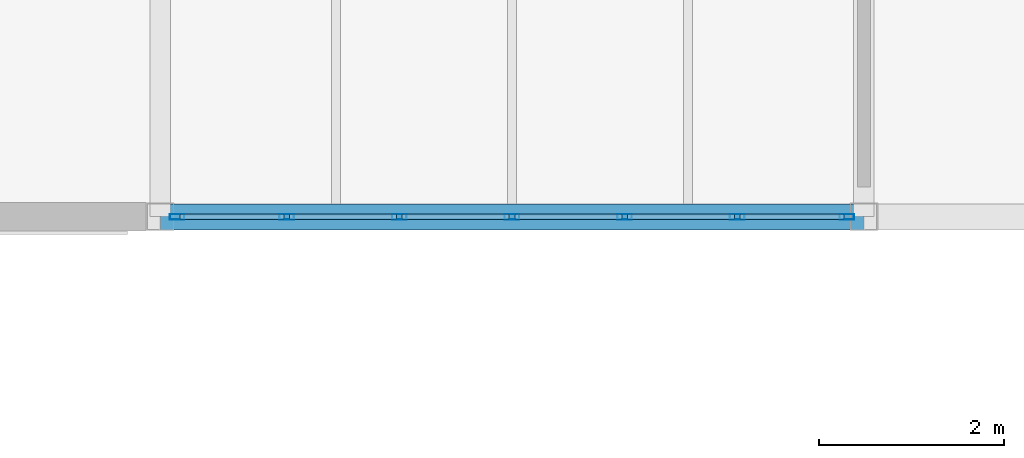
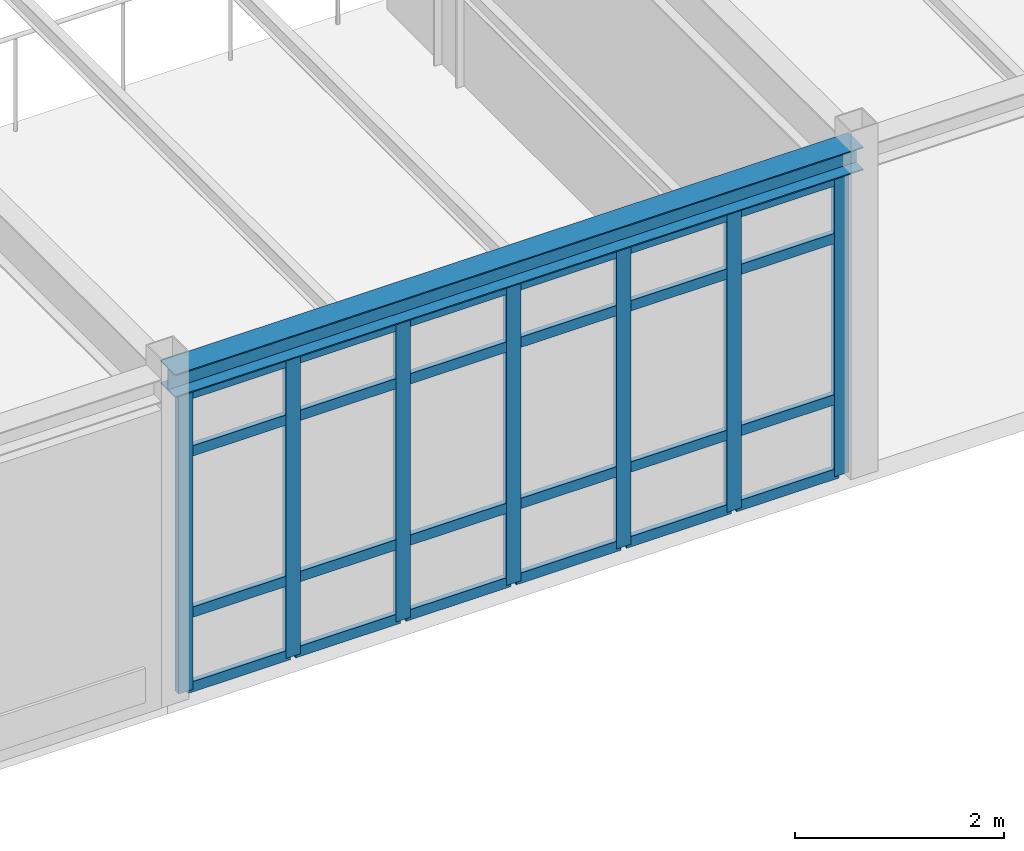
# One storey, part 64 of 165: 31 members, 1 beam, 1 element without a shape of its own.
"""IFC4 building model written with IfcOpenShell, lengths in metres."""

from ifc_helpers import new_model, si_unit, direction, frame, origin, origin_2d, place, context, subcontext, project, spatial, hollow_rectangle, i_section, extrude, material, layer, layer_set, material_profile, profile_set, type_object, element, aggregate, save


model = new_model("IFC4")

# Units and contexts
model_context = context("Model", 3, precision=1e-05, world=origin(), true_north=direction((0.0, 1.0)))
body_context = subcontext(model_context, "Body", "Model", "MODEL_VIEW")
ifc_project = project(units=[si_unit("LENGTHUNIT", "METRE"), si_unit("AREAUNIT", "SQUARE_METRE"), si_unit("VOLUMEUNIT", "CUBIC_METRE"), si_unit("PLANEANGLEUNIT", "RADIAN"), si_unit("MASSUNIT", "GRAM", prefix="KILO")], contexts=[model_context])

# Site, building, storey
site_placement = place(None, origin())
site = spatial("IfcSite", under=ifc_project, at=site_placement, CompositionType="ELEMENT")
building_placement = place(site_placement, origin())
building = spatial("IfcBuilding", under=site, at=building_placement, Name="Montecoro Central Library", CompositionType="ELEMENT")
storey_placement = place(building_placement, frame((0.0, 0.0, 5.10009765625)))
storey = spatial("IfcBuildingStorey", under=building, at=storey_placement, Name="L01", CompositionType="ELEMENT", Elevation=5.10009765625)

# Beam
ifc_material_1 = material(Name="Steel S355", Category="steel")
ifc_material_profile_1 = material_profile(ifc_material_1, i_section(OverallWidth=0.280029296875, OverallDepth=0.27001953125, WebThickness=0.008056640625, FlangeThickness=0.012939453125, at=origin_2d()), Name="HEA 280")
ifc_profile_set_1 = profile_set([ifc_material_profile_1], Name="Steel S355")
beam_type = type_object("IfcBeamType", Name="BM-SP-HEA280", PredefinedType="SPANDREL", material=ifc_profile_set_1)
beam_placement = place(storey_placement, frame((12.60498046875, 73.39990234375, 3.68994140625), z_axis=(1.0, 0.0, 0.0), x_axis=(0.0, 1.0, 0.0)))
element("IfcBeam", 1, at=beam_placement, inside=storey, type_object=beam_type, Name="V4-L01-BX-23-K", PredefinedType="SPANDREL", context=body_context, shape_type="SweptSolid", body=[
    extrude(i_section(OverallWidth=0.280029296875, OverallDepth=0.27001953125, WebThickness=0.008056640625, FlangeThickness=0.012939453125, at=origin_2d()), origin(), (0.0, 0.0, 1.0), 7.590087890625),
])

# Curtain wall, members
ifc_material_2 = material(Name="Bronze-anodised aluminium and low-E glazing", Category="aluminium")
ifc_layer = layer(ifc_material_2, 0.159912109375)
ifc_layer_set = layer_set([ifc_layer], Name="Bronze-anodised aluminium and low-E glazing")
curtain_wall_type = type_object("IfcCurtainWallType", Name="CWT-042", PredefinedType="NOTDEFINED", material=ifc_layer_set)
curtain_wall_placement = place(storey_placement, origin())
curtain_wall = element("IfcCurtainWall", 2, at=curtain_wall_placement, inside=storey, type_object=curtain_wall_type, Name="V4-L01-CW-S1", PredefinedType="NOTDEFINED")
ifc_material_3 = material(Name="Bronze-anodised aluminium", Category="aluminium")
ifc_material_profile_2 = material_profile(ifc_material_3, hollow_rectangle(XDim=0.06005859375, YDim=0.159912109375, WallThickness=0.00390625, at=origin_2d()), Name="CWM 160x60x4.0")
ifc_profile_set_2 = profile_set([ifc_material_profile_2], Name="Bronze-anodised aluminium")
member_type_1 = type_object("IfcMemberType", Name="CWM-BRZ-60", PredefinedType="MULLION", material=ifc_profile_set_2)
member_1_placement = place(storey_placement, frame((12.782958984375, 73.39990234375, 0.0), z_axis=(0.0, 0.0, 1.0), x_axis=(0.0, 1.0, 0.0)))
member_1 = element("IfcMember", 3, at=member_1_placement, type_object=member_type_1, Name="CW-042 mullion 1", PredefinedType="MULLION", context=body_context, shape_type="SweptSolid", body=[
    extrude(hollow_rectangle(XDim=0.06005859375, YDim=0.159912109375, WallThickness=0.00390625, at=origin_2d()), origin(), (0.0, 0.0, 1.0), 3.47998046875),
])
member_2_placement = place(storey_placement, frame((13.96875, 73.39990234375, 0.0), z_axis=(0.0, 0.0, 1.0), x_axis=(0.0, 1.0, 0.0)))
member_2 = element("IfcMember", 4, at=member_2_placement, type_object=member_type_1, Name="CW-042 mullion 2", PredefinedType="MULLION", context=body_context, shape_type="SweptSolid", body=[
    extrude(hollow_rectangle(XDim=0.06005859375, YDim=0.159912109375, WallThickness=0.00390625, at=origin_2d()), origin(), (0.0, 0.0, 1.0), 3.47998046875),
])
member_3_placement = place(storey_placement, frame((15.184326171875, 73.39990234375, 0.0), z_axis=(0.0, 0.0, 1.0), x_axis=(0.0, 1.0, 0.0)))
member_3 = element("IfcMember", 5, at=member_3_placement, type_object=member_type_1, Name="CW-042 mullion 3", PredefinedType="MULLION", context=body_context, shape_type="SweptSolid", body=[
    extrude(hollow_rectangle(XDim=0.06005859375, YDim=0.159912109375, WallThickness=0.00390625, at=origin_2d()), origin(), (0.0, 0.0, 1.0), 3.47998046875),
])
member_4_placement = place(storey_placement, frame((16.39990234375, 73.39990234375, 0.0), z_axis=(0.0, 0.0, 1.0), x_axis=(0.0, 1.0, 0.0)))
member_4 = element("IfcMember", 6, at=member_4_placement, type_object=member_type_1, Name="CW-042 mullion 4", PredefinedType="MULLION", context=body_context, shape_type="SweptSolid", body=[
    extrude(hollow_rectangle(XDim=0.06005859375, YDim=0.159912109375, WallThickness=0.00390625, at=origin_2d()), origin(), (0.0, 0.0, 1.0), 3.47998046875),
])
member_5_placement = place(storey_placement, frame((17.61572265625, 73.39990234375, 0.0), z_axis=(0.0, 0.0, 1.0), x_axis=(0.0, 1.0, 0.0)))
member_5 = element("IfcMember", 7, at=member_5_placement, type_object=member_type_1, Name="CW-042 mullion 5", PredefinedType="MULLION", context=body_context, shape_type="SweptSolid", body=[
    extrude(hollow_rectangle(XDim=0.06005859375, YDim=0.159912109375, WallThickness=0.00390625, at=origin_2d()), origin(), (0.0, 0.0, 1.0), 3.47998046875),
])
member_6_placement = place(storey_placement, frame((18.831298828125, 73.39990234375, 0.0), z_axis=(0.0, 0.0, 1.0), x_axis=(0.0, 1.0, 0.0)))
member_6 = element("IfcMember", 8, at=member_6_placement, type_object=member_type_1, Name="CW-042 mullion 6", PredefinedType="MULLION", context=body_context, shape_type="SweptSolid", body=[
    extrude(hollow_rectangle(XDim=0.06005859375, YDim=0.159912109375, WallThickness=0.00390625, at=origin_2d()), origin(), (0.0, 0.0, 1.0), 3.47998046875),
])
member_7_placement = place(storey_placement, frame((20.01708984375, 73.39990234375, 0.0), z_axis=(0.0, 0.0, 1.0), x_axis=(0.0, 1.0, 0.0)))
member_7 = element("IfcMember", 9, at=member_7_placement, type_object=member_type_1, Name="CW-042 mullion 7", PredefinedType="MULLION", context=body_context, shape_type="SweptSolid", body=[
    extrude(hollow_rectangle(XDim=0.06005859375, YDim=0.159912109375, WallThickness=0.00390625, at=origin_2d()), origin(), (0.0, 0.0, 1.0), 3.47998046875),
])
ifc_material_profile_3 = material_profile(ifc_material_3, hollow_rectangle(XDim=0.06005859375, YDim=0.1201171875, WallThickness=0.00390625, at=origin_2d()), Name="CWT 120x60x4.0")
ifc_profile_set_3 = profile_set([ifc_material_profile_3], Name="Bronze-anodised aluminium")
member_type_2 = type_object("IfcMemberType", Name="CWT-BRZ-60", PredefinedType="USERDEFINED", material=ifc_profile_set_3)
member_8_placement = place(storey_placement, frame((12.81298828125, 73.39990234375, 0.02978515625), z_axis=(1.0, 0.0, 0.0), x_axis=(0.0, 1.0, 0.0)))
member_8 = element("IfcMember", 10, at=member_8_placement, type_object=member_type_2, Name="CW-042 transom 1.1", ObjectType="TRANSOM", PredefinedType="USERDEFINED", context=body_context, shape_type="SweptSolid", body=[
    extrude(hollow_rectangle(XDim=0.06005859375, YDim=0.1201171875, WallThickness=0.00390625, at=origin_2d()), origin(), (0.0, 0.0, 1.0), 1.125732421875),
])
member_9_placement = place(storey_placement, frame((12.81298828125, 73.39990234375, 0.89990234375), z_axis=(1.0, 0.0, 0.0), x_axis=(0.0, 1.0, 0.0)))
member_9 = element("IfcMember", 11, at=member_9_placement, type_object=member_type_2, Name="CW-042 transom 1.2", ObjectType="TRANSOM", PredefinedType="USERDEFINED", context=body_context, shape_type="SweptSolid", body=[
    extrude(hollow_rectangle(XDim=0.06005859375, YDim=0.1201171875, WallThickness=0.00390625, at=origin_2d()), origin(), (0.0, 0.0, 1.0), 1.125732421875),
])
member_10_placement = place(storey_placement, frame((12.81298828125, 73.39990234375, 2.77978515625), z_axis=(1.0, 0.0, 0.0), x_axis=(0.0, 1.0, 0.0)))
member_10 = element("IfcMember", 12, at=member_10_placement, type_object=member_type_2, Name="CW-042 transom 1.3", ObjectType="TRANSOM", PredefinedType="USERDEFINED", context=body_context, shape_type="SweptSolid", body=[
    extrude(hollow_rectangle(XDim=0.06005859375, YDim=0.1201171875, WallThickness=0.00390625, at=origin_2d()), origin(), (0.0, 0.0, 1.0), 1.125732421875),
])
member_11_placement = place(storey_placement, frame((12.81298828125, 73.39990234375, 3.449951171875), z_axis=(1.0, 0.0, 0.0), x_axis=(0.0, 1.0, 0.0)))
member_11 = element("IfcMember", 13, at=member_11_placement, type_object=member_type_2, Name="CW-042 transom 1.4", ObjectType="TRANSOM", PredefinedType="USERDEFINED", context=body_context, shape_type="SweptSolid", body=[
    extrude(hollow_rectangle(XDim=0.06005859375, YDim=0.1201171875, WallThickness=0.00390625, at=origin_2d()), origin(), (0.0, 0.0, 1.0), 1.125732421875),
])
member_12_placement = place(storey_placement, frame((13.998779296875, 73.39990234375, 0.02978515625), z_axis=(1.0, 0.0, 0.0), x_axis=(0.0, 1.0, 0.0)))
member_12 = element("IfcMember", 14, at=member_12_placement, type_object=member_type_2, Name="CW-042 transom 2.1", ObjectType="TRANSOM", PredefinedType="USERDEFINED", context=body_context, shape_type="SweptSolid", body=[
    extrude(hollow_rectangle(XDim=0.06005859375, YDim=0.1201171875, WallThickness=0.00390625, at=origin_2d()), origin(), (0.0, 0.0, 1.0), 1.155517578125),
])
member_13_placement = place(storey_placement, frame((13.998779296875, 73.39990234375, 0.89990234375), z_axis=(1.0, 0.0, 0.0), x_axis=(0.0, 1.0, 0.0)))
member_13 = element("IfcMember", 15, at=member_13_placement, type_object=member_type_2, Name="CW-042 transom 2.2", ObjectType="TRANSOM", PredefinedType="USERDEFINED", context=body_context, shape_type="SweptSolid", body=[
    extrude(hollow_rectangle(XDim=0.06005859375, YDim=0.1201171875, WallThickness=0.00390625, at=origin_2d()), origin(), (0.0, 0.0, 1.0), 1.155517578125),
])
member_14_placement = place(storey_placement, frame((13.998779296875, 73.39990234375, 2.77978515625), z_axis=(1.0, 0.0, 0.0), x_axis=(0.0, 1.0, 0.0)))
member_14 = element("IfcMember", 16, at=member_14_placement, type_object=member_type_2, Name="CW-042 transom 2.3", ObjectType="TRANSOM", PredefinedType="USERDEFINED", context=body_context, shape_type="SweptSolid", body=[
    extrude(hollow_rectangle(XDim=0.06005859375, YDim=0.1201171875, WallThickness=0.00390625, at=origin_2d()), origin(), (0.0, 0.0, 1.0), 1.155517578125),
])
member_15_placement = place(storey_placement, frame((13.998779296875, 73.39990234375, 3.449951171875), z_axis=(1.0, 0.0, 0.0), x_axis=(0.0, 1.0, 0.0)))
member_15 = element("IfcMember", 17, at=member_15_placement, type_object=member_type_2, Name="CW-042 transom 2.4", ObjectType="TRANSOM", PredefinedType="USERDEFINED", context=body_context, shape_type="SweptSolid", body=[
    extrude(hollow_rectangle(XDim=0.06005859375, YDim=0.1201171875, WallThickness=0.00390625, at=origin_2d()), origin(), (0.0, 0.0, 1.0), 1.155517578125),
])
member_16_placement = place(storey_placement, frame((15.21435546875, 73.39990234375, 0.02978515625), z_axis=(1.0, 0.0, 0.0), x_axis=(0.0, 1.0, 0.0)))
member_16 = element("IfcMember", 18, at=member_16_placement, type_object=member_type_2, Name="CW-042 transom 3.1", ObjectType="TRANSOM", PredefinedType="USERDEFINED", context=body_context, shape_type="SweptSolid", body=[
    extrude(hollow_rectangle(XDim=0.06005859375, YDim=0.1201171875, WallThickness=0.00390625, at=origin_2d()), origin(), (0.0, 0.0, 1.0), 1.15576171875),
])
member_17_placement = place(storey_placement, frame((15.21435546875, 73.39990234375, 0.89990234375), z_axis=(1.0, 0.0, 0.0), x_axis=(0.0, 1.0, 0.0)))
member_17 = element("IfcMember", 19, at=member_17_placement, type_object=member_type_2, Name="CW-042 transom 3.2", ObjectType="TRANSOM", PredefinedType="USERDEFINED", context=body_context, shape_type="SweptSolid", body=[
    extrude(hollow_rectangle(XDim=0.06005859375, YDim=0.1201171875, WallThickness=0.00390625, at=origin_2d()), origin(), (0.0, 0.0, 1.0), 1.15576171875),
])
member_18_placement = place(storey_placement, frame((15.21435546875, 73.39990234375, 2.77978515625), z_axis=(1.0, 0.0, 0.0), x_axis=(0.0, 1.0, 0.0)))
member_18 = element("IfcMember", 20, at=member_18_placement, type_object=member_type_2, Name="CW-042 transom 3.3", ObjectType="TRANSOM", PredefinedType="USERDEFINED", context=body_context, shape_type="SweptSolid", body=[
    extrude(hollow_rectangle(XDim=0.06005859375, YDim=0.1201171875, WallThickness=0.00390625, at=origin_2d()), origin(), (0.0, 0.0, 1.0), 1.15576171875),
])
member_19_placement = place(storey_placement, frame((15.21435546875, 73.39990234375, 3.449951171875), z_axis=(1.0, 0.0, 0.0), x_axis=(0.0, 1.0, 0.0)))
member_19 = element("IfcMember", 21, at=member_19_placement, type_object=member_type_2, Name="CW-042 transom 3.4", ObjectType="TRANSOM", PredefinedType="USERDEFINED", context=body_context, shape_type="SweptSolid", body=[
    extrude(hollow_rectangle(XDim=0.06005859375, YDim=0.1201171875, WallThickness=0.00390625, at=origin_2d()), origin(), (0.0, 0.0, 1.0), 1.15576171875),
])
member_20_placement = place(storey_placement, frame((16.429931640625, 73.39990234375, 0.02978515625), z_axis=(1.0, 0.0, 0.0), x_axis=(0.0, 1.0, 0.0)))
member_20 = element("IfcMember", 22, at=member_20_placement, type_object=member_type_2, Name="CW-042 transom 4.1", ObjectType="TRANSOM", PredefinedType="USERDEFINED", context=body_context, shape_type="SweptSolid", body=[
    extrude(hollow_rectangle(XDim=0.06005859375, YDim=0.1201171875, WallThickness=0.00390625, at=origin_2d()), origin(), (0.0, 0.0, 1.0), 1.15576171875),
])
member_21_placement = place(storey_placement, frame((16.429931640625, 73.39990234375, 0.89990234375), z_axis=(1.0, 0.0, 0.0), x_axis=(0.0, 1.0, 0.0)))
member_21 = element("IfcMember", 23, at=member_21_placement, type_object=member_type_2, Name="CW-042 transom 4.2", ObjectType="TRANSOM", PredefinedType="USERDEFINED", context=body_context, shape_type="SweptSolid", body=[
    extrude(hollow_rectangle(XDim=0.06005859375, YDim=0.1201171875, WallThickness=0.00390625, at=origin_2d()), origin(), (0.0, 0.0, 1.0), 1.15576171875),
])
member_22_placement = place(storey_placement, frame((16.429931640625, 73.39990234375, 2.77978515625), z_axis=(1.0, 0.0, 0.0), x_axis=(0.0, 1.0, 0.0)))
member_22 = element("IfcMember", 24, at=member_22_placement, type_object=member_type_2, Name="CW-042 transom 4.3", ObjectType="TRANSOM", PredefinedType="USERDEFINED", context=body_context, shape_type="SweptSolid", body=[
    extrude(hollow_rectangle(XDim=0.06005859375, YDim=0.1201171875, WallThickness=0.00390625, at=origin_2d()), origin(), (0.0, 0.0, 1.0), 1.15576171875),
])
member_23_placement = place(storey_placement, frame((16.429931640625, 73.39990234375, 3.449951171875), z_axis=(1.0, 0.0, 0.0), x_axis=(0.0, 1.0, 0.0)))
member_23 = element("IfcMember", 25, at=member_23_placement, type_object=member_type_2, Name="CW-042 transom 4.4", ObjectType="TRANSOM", PredefinedType="USERDEFINED", context=body_context, shape_type="SweptSolid", body=[
    extrude(hollow_rectangle(XDim=0.06005859375, YDim=0.1201171875, WallThickness=0.00390625, at=origin_2d()), origin(), (0.0, 0.0, 1.0), 1.15576171875),
])
member_24_placement = place(storey_placement, frame((17.645751953125, 73.39990234375, 0.02978515625), z_axis=(1.0, 0.0, 0.0), x_axis=(0.0, 1.0, 0.0)))
member_24 = element("IfcMember", 26, at=member_24_placement, type_object=member_type_2, Name="CW-042 transom 5.1", ObjectType="TRANSOM", PredefinedType="USERDEFINED", context=body_context, shape_type="SweptSolid", body=[
    extrude(hollow_rectangle(XDim=0.06005859375, YDim=0.1201171875, WallThickness=0.00390625, at=origin_2d()), origin(), (0.0, 0.0, 1.0), 1.155517578125),
])
member_25_placement = place(storey_placement, frame((17.645751953125, 73.39990234375, 0.89990234375), z_axis=(1.0, 0.0, 0.0), x_axis=(0.0, 1.0, 0.0)))
member_25 = element("IfcMember", 27, at=member_25_placement, type_object=member_type_2, Name="CW-042 transom 5.2", ObjectType="TRANSOM", PredefinedType="USERDEFINED", context=body_context, shape_type="SweptSolid", body=[
    extrude(hollow_rectangle(XDim=0.06005859375, YDim=0.1201171875, WallThickness=0.00390625, at=origin_2d()), origin(), (0.0, 0.0, 1.0), 1.155517578125),
])
member_26_placement = place(storey_placement, frame((17.645751953125, 73.39990234375, 2.77978515625), z_axis=(1.0, 0.0, 0.0), x_axis=(0.0, 1.0, 0.0)))
member_26 = element("IfcMember", 28, at=member_26_placement, type_object=member_type_2, Name="CW-042 transom 5.3", ObjectType="TRANSOM", PredefinedType="USERDEFINED", context=body_context, shape_type="SweptSolid", body=[
    extrude(hollow_rectangle(XDim=0.06005859375, YDim=0.1201171875, WallThickness=0.00390625, at=origin_2d()), origin(), (0.0, 0.0, 1.0), 1.155517578125),
])
member_27_placement = place(storey_placement, frame((17.645751953125, 73.39990234375, 3.449951171875), z_axis=(1.0, 0.0, 0.0), x_axis=(0.0, 1.0, 0.0)))
member_27 = element("IfcMember", 29, at=member_27_placement, type_object=member_type_2, Name="CW-042 transom 5.4", ObjectType="TRANSOM", PredefinedType="USERDEFINED", context=body_context, shape_type="SweptSolid", body=[
    extrude(hollow_rectangle(XDim=0.06005859375, YDim=0.1201171875, WallThickness=0.00390625, at=origin_2d()), origin(), (0.0, 0.0, 1.0), 1.155517578125),
])
member_28_placement = place(storey_placement, frame((18.861328125, 73.39990234375, 0.02978515625), z_axis=(1.0, 0.0, 0.0), x_axis=(0.0, 1.0, 0.0)))
member_28 = element("IfcMember", 30, at=member_28_placement, type_object=member_type_2, Name="CW-042 transom 6.1", ObjectType="TRANSOM", PredefinedType="USERDEFINED", context=body_context, shape_type="SweptSolid", body=[
    extrude(hollow_rectangle(XDim=0.06005859375, YDim=0.1201171875, WallThickness=0.00390625, at=origin_2d()), origin(), (0.0, 0.0, 1.0), 1.125732421875),
])
member_29_placement = place(storey_placement, frame((18.861328125, 73.39990234375, 0.89990234375), z_axis=(1.0, 0.0, 0.0), x_axis=(0.0, 1.0, 0.0)))
member_29 = element("IfcMember", 31, at=member_29_placement, type_object=member_type_2, Name="CW-042 transom 6.2", ObjectType="TRANSOM", PredefinedType="USERDEFINED", context=body_context, shape_type="SweptSolid", body=[
    extrude(hollow_rectangle(XDim=0.06005859375, YDim=0.1201171875, WallThickness=0.00390625, at=origin_2d()), origin(), (0.0, 0.0, 1.0), 1.125732421875),
])
member_30_placement = place(storey_placement, frame((18.861328125, 73.39990234375, 2.77978515625), z_axis=(1.0, 0.0, 0.0), x_axis=(0.0, 1.0, 0.0)))
member_30 = element("IfcMember", 32, at=member_30_placement, type_object=member_type_2, Name="CW-042 transom 6.3", ObjectType="TRANSOM", PredefinedType="USERDEFINED", context=body_context, shape_type="SweptSolid", body=[
    extrude(hollow_rectangle(XDim=0.06005859375, YDim=0.1201171875, WallThickness=0.00390625, at=origin_2d()), origin(), (0.0, 0.0, 1.0), 1.125732421875),
])
member_31_placement = place(storey_placement, frame((18.861328125, 73.39990234375, 3.449951171875), z_axis=(1.0, 0.0, 0.0), x_axis=(0.0, 1.0, 0.0)))
member_31 = element("IfcMember", 33, at=member_31_placement, type_object=member_type_2, Name="CW-042 transom 6.4", ObjectType="TRANSOM", PredefinedType="USERDEFINED", context=body_context, shape_type="SweptSolid", body=[
    extrude(hollow_rectangle(XDim=0.06005859375, YDim=0.1201171875, WallThickness=0.00390625, at=origin_2d()), origin(), (0.0, 0.0, 1.0), 1.125732421875),
])
aggregate(curtain_wall, [member_1, member_2, member_3, member_4, member_5, member_6, member_7, member_8, member_9, member_10, member_11, member_12, member_13, member_14, member_15, member_16, member_17, member_18, member_19, member_20, member_21, member_22, member_23, member_24, member_25, member_26, member_27, member_28, member_29, member_30, member_31])

save(model, "model.ifc")
